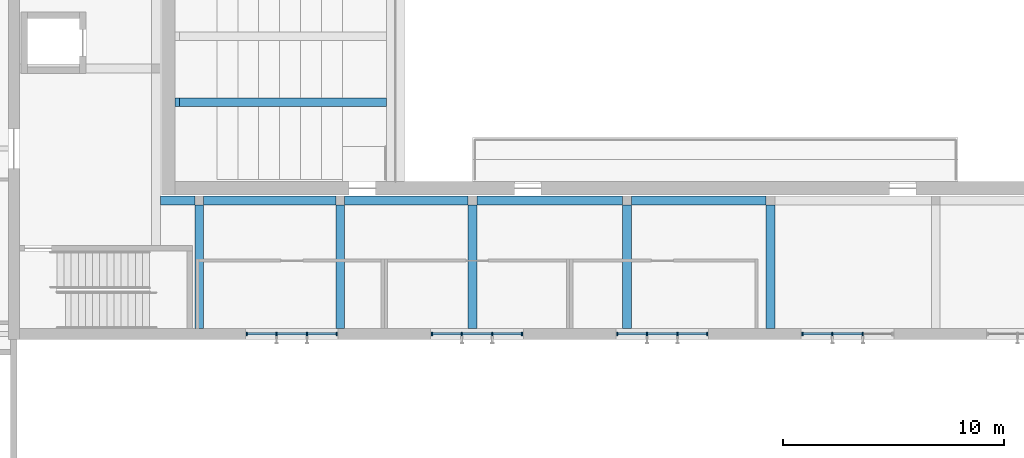
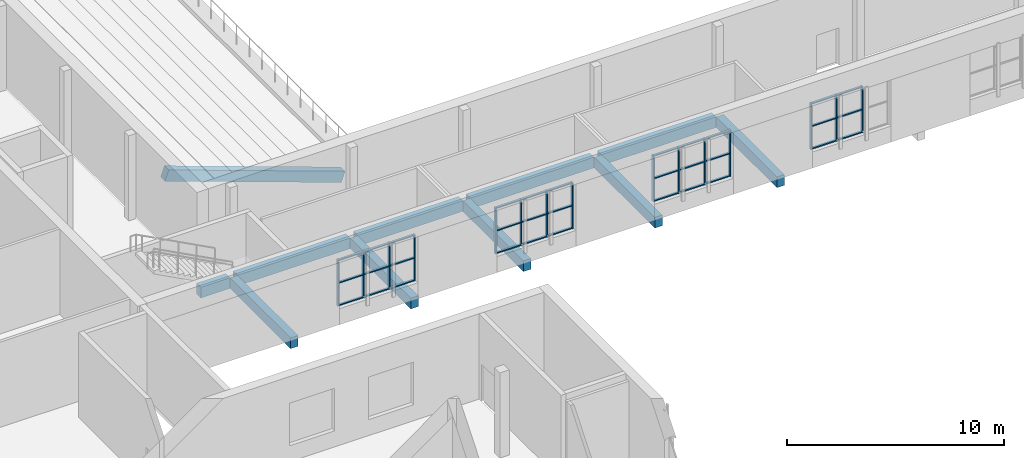
# One storey, part 23 of 116: 48 members, 11 beams, 4 elements without a shape of their own.
"""IFC4 building model written with IfcOpenShell, lengths in metres."""

import ifcopenshell
import ifcopenshell.guid

model = None  # the IFC model being written
_history = None  # IfcOwnerHistory: only IFC2X3 demands one
_inside = {}  # id of a spatial element -> (the spatial element, [elements in it])
_under = {}  # id of a project, library or spatial element -> (it, [spatial elements below it])
_declared = {}  # id of a project -> (the project, [libraries it declares])
_typed = {}  # id of a type object -> (the type object, [elements of that type])
_made_of = {}  # id of a material, layer set ... -> (it, [elements and type objects made of it])


def new_model(schema):
    """Start an empty IFC model of exactly this schema.

    Asked for "IFC4X3", IfcOpenShell would pick the latest addendum, in which some entities
    have other attributes; the version numbers below select the first issue.
    IFC2X3 requires an IfcOwnerHistory on every rooted entity: one is made here for all.
    """
    global model, _history
    if schema == "IFC4X3":
        model = ifcopenshell.file(schema_version=(4, 3, 0, 0))
    else:
        model = ifcopenshell.file(schema=schema)
    _inside.clear()
    _under.clear()
    _declared.clear()
    _typed.clear()
    _made_of.clear()
    _history = None
    if model.schema == "IFC2X3":
        org = make("IfcOrganization", Name="unknown")
        user = make(
            "IfcPersonAndOrganization",
            ThePerson=make("IfcPerson", FamilyName="unknown"),
            TheOrganization=org,
        )
        app = make(
            "IfcApplication",
            ApplicationDeveloper=org,
            Version="unknown",
            ApplicationFullName="unknown",
            ApplicationIdentifier="unknown",
        )
        _history = make(
            "IfcOwnerHistory",
            OwningUser=user,
            OwningApplication=app,
            ChangeAction="ADDED",
            CreationDate=0,
        )
    return model


def make(cls, **values):
    """One entity of the class cls with the attributes given. An attribute that is None is left unset."""
    return model.create_entity(
        cls, **{name: value for name, value in values.items() if value is not None}
    )


def rooted(cls, **values):
    """An entity with a GlobalId (a new one), such as an element, a storey or a relation."""
    return make(cls, GlobalId=ifcopenshell.guid.new(), OwnerHistory=_history, **values)


def si_unit(unit_type, name, prefix=None):
    """IfcSIUnit, for example si_unit("LENGTHUNIT", "METRE", prefix="MILLI")."""
    return make("IfcSIUnit", UnitType=unit_type, Prefix=prefix, Name=name)


def assignment(units):
    """IfcUnitAssignment: the units of a project."""
    return None if units is None else make("IfcUnitAssignment", Units=units)


def point(xyz):
    """IfcCartesianPoint."""
    return None if xyz is None else make("IfcCartesianPoint", Coordinates=xyz)


def direction(xyz):
    """IfcDirection."""
    return None if xyz is None else make("IfcDirection", DirectionRatios=xyz)


def frame(location, z_axis=None, x_axis=None):
    """IfcAxis2Placement3D, a coordinate frame: its origin and axes. An axis left out is left unset."""
    return make(
        "IfcAxis2Placement3D",
        Location=point(location),
        Axis=direction(z_axis),
        RefDirection=direction(x_axis),
    )


def frame_2d(location, x_axis=None):
    """IfcAxis2Placement2D, a coordinate frame in the plane: its origin and x axis."""
    return make(
        "IfcAxis2Placement2D", Location=point(location), RefDirection=direction(x_axis)
    )


def origin():
    """The frame at (0, 0, 0) with its axes left unset."""
    return frame((0.0, 0.0, 0.0))


def origin_2d():
    """The frame at (0, 0) in the plane with its x axis left unset."""
    return frame_2d((0.0, 0.0))


def place(relative_to, where):
    """IfcLocalPlacement: puts the frame where relative to a parent placement (None: the world)."""
    return make(
        "IfcLocalPlacement", PlacementRelTo=relative_to, RelativePlacement=where
    )


def context(
    kind, dimensions, precision=None, world=None, true_north=None, identifier=None
):
    """IfcGeometricRepresentationContext, for example the 3D "Model" context."""
    return make(
        "IfcGeometricRepresentationContext",
        ContextIdentifier=identifier,
        ContextType=kind,
        CoordinateSpaceDimension=dimensions,
        Precision=precision,
        WorldCoordinateSystem=world,
        TrueNorth=true_north,
    )


def subcontext(parent, identifier, kind, view, scale=None):
    """IfcGeometricRepresentationSubContext, for example "Body" below "Model"."""
    return make(
        "IfcGeometricRepresentationSubContext",
        ContextIdentifier=identifier,
        ContextType=kind,
        ParentContext=parent,
        TargetScale=scale,
        TargetView=view,
    )


def project(units=None, contexts=None):
    """IfcProject with its units and contexts."""
    return rooted(
        "IfcProject",
        Name="project",
        RepresentationContexts=contexts,
        UnitsInContext=assignment(units),
    )


def spatial(cls, under=None, at=None, **own):
    """A site, building, storey or space (cls), placed at a placement, below another one or the project."""
    s = rooted(cls, ObjectPlacement=at, **own)
    if under is not None:
        _under.setdefault(under.id(), (under, []))[1].append(s)
    return s


def profile(cls, at=None, kind="AREA", **sizes):
    """A parametric profile (cls). Its sizes go by their IFC names, for example OverallWidth=200.0."""
    return make(cls, ProfileType=kind, Position=at, **sizes)


def rectangle(**sizes):
    """IfcRectangleProfileDef."""
    return profile("IfcRectangleProfileDef", **sizes)


def extrude(swept, where, along, depth):
    """IfcExtrudedAreaSolid: the profile swept, set in the frame where, extruded along a direction by depth."""
    return make(
        "IfcExtrudedAreaSolid",
        SweptArea=swept,
        Position=where,
        ExtrudedDirection=direction(along),
        Depth=depth,
    )


def shape(context_of_items, identifier, shape_type, items):
    """IfcShapeRepresentation: the items that make up one representation, for example the "Body"."""
    return make(
        "IfcShapeRepresentation",
        ContextOfItems=context_of_items,
        RepresentationIdentifier=identifier,
        RepresentationType=shape_type,
        Items=items,
    )


def material(Name=None, Category=None):
    """IfcMaterial."""
    return make("IfcMaterial", Name=Name, Category=Category)


def material_profile(
    of_material, cross_section, Name=None, Category=None, Priority=None
):
    """IfcMaterialProfile: a cross section and its material."""
    return make(
        "IfcMaterialProfile",
        Name=Name,
        Material=of_material,
        Profile=cross_section,
        Priority=Priority,
        Category=Category,
    )


def profile_set(profiles, Name=None, composite=None):
    """IfcMaterialProfileSet."""
    return make(
        "IfcMaterialProfileSet",
        Name=Name,
        MaterialProfiles=profiles,
        CompositeProfile=composite,
    )


def made_of(thing, what):
    """Note that an element or type object is made of a material, layer set ...; save() writes the relation."""
    if what is not None:
        _made_of.setdefault(what.id(), (what, []))[1].append(thing)
    return thing


def type_object(cls, material=None, **own):
    """A type object (cls), such as IfcWallType, which elements share."""
    return made_of(rooted(cls, **own), material)


def element(
    cls,
    number,
    at=None,
    inside=None,
    cuts=None,
    type_object=None,
    material=None,
    context=None,
    identifier="Body",
    shape_type=None,
    held_by="IfcProductDefinitionShape",
    body=None,
    shapes=None,
    **own,
):
    """One element of the class cls, such as IfcWall. Its Tag is "e" and its number.

    at: its placement. inside: the storey or other place that contains it. cuts: it is an
    opening in that element (IfcRelVoidsElement). A single representation is given by context,
    identifier, shape_type and body (its items); several are given by shapes. held_by: the class
    of the entity that holds the representations. save() writes the other relations.
    """
    e = rooted(cls, Tag="e%d" % number, ObjectPlacement=at, **own)
    if body is not None:
        shapes = [shape(context, identifier, shape_type, body)]
    if shapes is not None:
        e.Representation = make(held_by, Representations=shapes)
    if inside is not None:
        _inside.setdefault(inside.id(), (inside, []))[1].append(e)
    if cuts is not None:
        rooted(
            "IfcRelVoidsElement", RelatingBuildingElement=cuts, RelatedOpeningElement=e
        )
    if type_object is not None:
        _typed.setdefault(type_object.id(), (type_object, []))[1].append(e)
    return made_of(e, material)


def aggregate(whole, parts):
    """IfcRelAggregates: a whole, such as a stair, and the parts it consists of."""
    return rooted("IfcRelAggregates", RelatingObject=whole, RelatedObjects=parts)


def save(model, path):
    """Write the relations noted so far, then the file.

    IfcRelAggregates (storeys below a building ...), IfcRelContainedInSpatialStructure (elements
    in a storey), IfcRelDefinesByType, IfcRelAssociatesMaterial and IfcRelDeclares: one each for
    every whole, place, type object, material and project.
    """
    for whole, parts in _under.values():
        aggregate(whole, parts)
    for where, things in _inside.values():
        rooted(
            "IfcRelContainedInSpatialStructure",
            RelatedElements=things,
            RelatingStructure=where,
        )
    for kind, things in _typed.values():
        rooted("IfcRelDefinesByType", RelatedObjects=things, RelatingType=kind)
    for what, things in _made_of.values():
        rooted("IfcRelAssociatesMaterial", RelatedObjects=things, RelatingMaterial=what)
    for by, libraries in _declared.values():
        rooted("IfcRelDeclares", RelatingContext=by, RelatedDefinitions=libraries)
    model.write(path)


model = new_model("IFC4")

# Units and contexts
model_context = context("Model", 3, precision=1e-05, world=origin(), true_north=direction((0.0, 1.0)))
body_context = subcontext(model_context, "Body", "Model", "MODEL_VIEW")
ifc_project = project(units=[si_unit("LENGTHUNIT", "METRE"), si_unit("AREAUNIT", "SQUARE_METRE"), si_unit("VOLUMEUNIT", "CUBIC_METRE"), si_unit("PLANEANGLEUNIT", "RADIAN"), si_unit("MASSUNIT", "GRAM", prefix="KILO")], contexts=[model_context])

# Site, building, storey
site_placement = place(None, origin())
site = spatial("IfcSite", under=ifc_project, at=site_placement, CompositionType="ELEMENT")
building_placement = place(site_placement, origin())
building = spatial("IfcBuilding", under=site, at=building_placement, Name="Ljudholm Concert House", CompositionType="ELEMENT")
storey_placement = place(building_placement, frame((0.0, 0.0, 10.199951171875)))
storey = spatial("IfcBuildingStorey", under=building, at=storey_placement, Name="L02", CompositionType="ELEMENT", Elevation=10.199951171875)

# Curtain wall, members
ifc_material_1 = material(Name="Aluminium curtain wall with impact-rated laminated glass", Category="aluminium")
curtain_wall_type = type_object("IfcCurtainWallType", Name="CURTAIN WALL 1400", PredefinedType="NOTDEFINED", material=ifc_material_1)
curtain_wall_1_placement = place(storey_placement, origin())
curtain_wall_1 = element("IfcCurtainWall", 1, at=curtain_wall_1_placement, inside=storey, type_object=curtain_wall_type, Name="Promenade curtain wall", PredefinedType="NOTDEFINED")
ifc_material_2 = material(Name="Aluminium extrusion", Category="aluminium")
ifc_material_profile_1 = material_profile(ifc_material_2, rectangle(XDim=0.159912109375, YDim=0.06005859375, at=origin_2d()), Name="MULLION 60x160")
ifc_profile_set_1 = profile_set([ifc_material_profile_1], Name="Aluminium extrusion")
member_type_1 = type_object("IfcMemberType", Name="MULLION 60x160", PredefinedType="MULLION", material=ifc_profile_set_1)
member_1_placement = place(storey_placement, frame((39.760009765625, 54.39990234375, 0.900146484375), z_axis=(0.0, 0.0, 1.0), x_axis=(0.0, 1.0, 0.0)))
member_1 = element("IfcMember", 2, at=member_1_placement, type_object=member_type_1, Name="Mullion", PredefinedType="MULLION", context=body_context, shape_type="SweptSolid", body=[
    extrude(rectangle(XDim=0.159912109375, YDim=0.06005859375, at=origin_2d()), origin(), (0.0, 0.0, 1.0), 2.599853515625),
])
member_2_placement = place(storey_placement, frame((41.110107421875, 54.39990234375, 0.900146484375), z_axis=(0.0, 0.0, 1.0), x_axis=(0.0, 1.0, 0.0)))
member_2 = element("IfcMember", 3, at=member_2_placement, type_object=member_type_1, Name="Mullion", PredefinedType="MULLION", context=body_context, shape_type="SweptSolid", body=[
    extrude(rectangle(XDim=0.159912109375, YDim=0.06005859375, at=origin_2d()), origin(), (0.0, 0.0, 1.0), 2.599853515625),
])
member_3_placement = place(storey_placement, frame((42.489990234375, 54.39990234375, 0.900146484375), z_axis=(0.0, 0.0, 1.0), x_axis=(0.0, 1.0, 0.0)))
member_3 = element("IfcMember", 4, at=member_3_placement, type_object=member_type_1, Name="Mullion", PredefinedType="MULLION", context=body_context, shape_type="SweptSolid", body=[
    extrude(rectangle(XDim=0.159912109375, YDim=0.06005859375, at=origin_2d()), origin(), (0.0, 0.0, 1.0), 2.599853515625),
])
member_4_placement = place(storey_placement, frame((43.840087890625, 54.39990234375, 0.900146484375), z_axis=(0.0, 0.0, 1.0), x_axis=(0.0, 1.0, 0.0)))
member_4 = element("IfcMember", 5, at=member_4_placement, type_object=member_type_1, Name="Mullion", PredefinedType="MULLION", context=body_context, shape_type="SweptSolid", body=[
    extrude(rectangle(XDim=0.159912109375, YDim=0.06005859375, at=origin_2d()), origin(), (0.0, 0.0, 1.0), 2.599853515625),
])

curtain_wall_2_placement = place(storey_placement, origin())
curtain_wall_2 = element("IfcCurtainWall", 6, at=curtain_wall_2_placement, inside=storey, type_object=curtain_wall_type, Name="Promenade curtain wall", PredefinedType="NOTDEFINED")
member_5_placement = place(storey_placement, frame((48.159912109375, 54.39990234375, 0.900146484375), z_axis=(0.0, 0.0, 1.0), x_axis=(0.0, 1.0, 0.0)))
member_5 = element("IfcMember", 7, at=member_5_placement, type_object=member_type_1, Name="Mullion", PredefinedType="MULLION", context=body_context, shape_type="SweptSolid", body=[
    extrude(rectangle(XDim=0.159912109375, YDim=0.06005859375, at=origin_2d()), origin(), (0.0, 0.0, 1.0), 2.599853515625),
])
member_6_placement = place(storey_placement, frame((49.510009765625, 54.39990234375, 0.900146484375), z_axis=(0.0, 0.0, 1.0), x_axis=(0.0, 1.0, 0.0)))
member_6 = element("IfcMember", 8, at=member_6_placement, type_object=member_type_1, Name="Mullion", PredefinedType="MULLION", context=body_context, shape_type="SweptSolid", body=[
    extrude(rectangle(XDim=0.159912109375, YDim=0.06005859375, at=origin_2d()), origin(), (0.0, 0.0, 1.0), 2.599853515625),
])
member_7_placement = place(storey_placement, frame((50.889892578125, 54.39990234375, 0.900146484375), z_axis=(0.0, 0.0, 1.0), x_axis=(0.0, 1.0, 0.0)))
member_7 = element("IfcMember", 9, at=member_7_placement, type_object=member_type_1, Name="Mullion", PredefinedType="MULLION", context=body_context, shape_type="SweptSolid", body=[
    extrude(rectangle(XDim=0.159912109375, YDim=0.06005859375, at=origin_2d()), origin(), (0.0, 0.0, 1.0), 2.599853515625),
])
member_8_placement = place(storey_placement, frame((52.239990234375, 54.39990234375, 0.900146484375), z_axis=(0.0, 0.0, 1.0), x_axis=(0.0, 1.0, 0.0)))
member_8 = element("IfcMember", 10, at=member_8_placement, type_object=member_type_1, Name="Mullion", PredefinedType="MULLION", context=body_context, shape_type="SweptSolid", body=[
    extrude(rectangle(XDim=0.159912109375, YDim=0.06005859375, at=origin_2d()), origin(), (0.0, 0.0, 1.0), 2.599853515625),
])

curtain_wall_3_placement = place(storey_placement, origin())
curtain_wall_3 = element("IfcCurtainWall", 11, at=curtain_wall_3_placement, inside=storey, type_object=curtain_wall_type, Name="Promenade curtain wall", PredefinedType="NOTDEFINED")
member_9_placement = place(storey_placement, frame((56.56005859375, 54.39990234375, 0.900146484375), z_axis=(0.0, 0.0, 1.0), x_axis=(0.0, 1.0, 0.0)))
member_9 = element("IfcMember", 12, at=member_9_placement, type_object=member_type_1, Name="Mullion", PredefinedType="MULLION", context=body_context, shape_type="SweptSolid", body=[
    extrude(rectangle(XDim=0.159912109375, YDim=0.06005859375, at=origin_2d()), origin(), (0.0, 0.0, 1.0), 2.599853515625),
])
member_10_placement = place(storey_placement, frame((57.909912109375, 54.39990234375, 0.900146484375), z_axis=(0.0, 0.0, 1.0), x_axis=(0.0, 1.0, 0.0)))
member_10 = element("IfcMember", 13, at=member_10_placement, type_object=member_type_1, Name="Mullion", PredefinedType="MULLION", context=body_context, shape_type="SweptSolid", body=[
    extrude(rectangle(XDim=0.159912109375, YDim=0.06005859375, at=origin_2d()), origin(), (0.0, 0.0, 1.0), 2.599853515625),
])
member_11_placement = place(storey_placement, frame((59.2900390625, 54.39990234375, 0.900146484375), z_axis=(0.0, 0.0, 1.0), x_axis=(0.0, 1.0, 0.0)))
member_11 = element("IfcMember", 14, at=member_11_placement, type_object=member_type_1, Name="Mullion", PredefinedType="MULLION", context=body_context, shape_type="SweptSolid", body=[
    extrude(rectangle(XDim=0.159912109375, YDim=0.06005859375, at=origin_2d()), origin(), (0.0, 0.0, 1.0), 2.599853515625),
])
member_12_placement = place(storey_placement, frame((60.639892578125, 54.39990234375, 0.900146484375), z_axis=(0.0, 0.0, 1.0), x_axis=(0.0, 1.0, 0.0)))
member_12 = element("IfcMember", 15, at=member_12_placement, type_object=member_type_1, Name="Mullion", PredefinedType="MULLION", context=body_context, shape_type="SweptSolid", body=[
    extrude(rectangle(XDim=0.159912109375, YDim=0.06005859375, at=origin_2d()), origin(), (0.0, 0.0, 1.0), 2.599853515625),
])

curtain_wall_4_placement = place(storey_placement, origin())
curtain_wall_4 = element("IfcCurtainWall", 16, at=curtain_wall_4_placement, inside=storey, type_object=curtain_wall_type, Name="Promenade curtain wall", PredefinedType="NOTDEFINED")
member_13_placement = place(storey_placement, frame((64.9599609375, 54.39990234375, 0.900146484375), z_axis=(0.0, 0.0, 1.0), x_axis=(0.0, 1.0, 0.0)))
member_13 = element("IfcMember", 17, at=member_13_placement, type_object=member_type_1, Name="Mullion", PredefinedType="MULLION", context=body_context, shape_type="SweptSolid", body=[
    extrude(rectangle(XDim=0.159912109375, YDim=0.06005859375, at=origin_2d()), origin(), (0.0, 0.0, 1.0), 2.599853515625),
])
member_14_placement = place(storey_placement, frame((66.31005859375, 54.39990234375, 0.900146484375), z_axis=(0.0, 0.0, 1.0), x_axis=(0.0, 1.0, 0.0)))
member_14 = element("IfcMember", 18, at=member_14_placement, type_object=member_type_1, Name="Mullion", PredefinedType="MULLION", context=body_context, shape_type="SweptSolid", body=[
    extrude(rectangle(XDim=0.159912109375, YDim=0.06005859375, at=origin_2d()), origin(), (0.0, 0.0, 1.0), 2.599853515625),
])
member_15_placement = place(storey_placement, frame((67.68994140625, 54.39990234375, 0.900146484375), z_axis=(0.0, 0.0, 1.0), x_axis=(0.0, 1.0, 0.0)))
member_15 = element("IfcMember", 19, at=member_15_placement, type_object=member_type_1, Name="Mullion", PredefinedType="MULLION", context=body_context, shape_type="SweptSolid", body=[
    extrude(rectangle(XDim=0.159912109375, YDim=0.06005859375, at=origin_2d()), origin(), (0.0, 0.0, 1.0), 2.599853515625),
])

# Beams
ifc_material_3 = material(Name="Concrete 6,500 psi", Category="concrete")
ifc_material_profile_2 = material_profile(ifc_material_3, rectangle(XDim=0.39990234375, YDim=0.60009765625, at=origin_2d()), Name="RC BEAM 400x600")
ifc_profile_set_2 = profile_set([ifc_material_profile_2], Name="Concrete 6,500 psi")
beam_type_1 = type_object("IfcBeamType", Name="RC BEAM 400x600", PredefinedType="BEAM", material=ifc_profile_set_2)
beam_1_placement = place(storey_placement, frame((37.800048828125, 60.449951171875, -0.550048828125), z_axis=(1.0, 0.0, 0.0), x_axis=(0.0, 1.0, 0.0)))
element("IfcBeam", 20, at=beam_1_placement, inside=storey, type_object=beam_type_1, Name="Ring beam", PredefinedType="BEAM", context=body_context, shape_type="SweptSolid", body=[
    extrude(rectangle(XDim=0.39990234375, YDim=0.60009765625, at=origin_2d()), origin(), (0.0, 0.0, 1.0), 6.0),
])
beam_2_placement = place(storey_placement, frame((44.199951171875, 60.449951171875, -0.550048828125), z_axis=(1.0, 0.0, 0.0), x_axis=(0.0, 1.0, 0.0)))
element("IfcBeam", 21, at=beam_2_placement, inside=storey, type_object=beam_type_1, Name="Ring beam", PredefinedType="BEAM", context=body_context, shape_type="SweptSolid", body=[
    extrude(rectangle(XDim=0.39990234375, YDim=0.60009765625, at=origin_2d()), origin(), (0.0, 0.0, 1.0), 5.60009765625),
])
beam_3_placement = place(storey_placement, frame((50.199951171875, 60.449951171875, -0.550048828125), z_axis=(1.0, 0.0, 0.0), x_axis=(0.0, 1.0, 0.0)))
element("IfcBeam", 22, at=beam_3_placement, inside=storey, type_object=beam_type_1, Name="Ring beam", PredefinedType="BEAM", context=body_context, shape_type="SweptSolid", body=[
    extrude(rectangle(XDim=0.39990234375, YDim=0.60009765625, at=origin_2d()), origin(), (0.0, 0.0, 1.0), 6.60009765625),
])
beam_4_placement = place(storey_placement, frame((57.199951171875, 60.449951171875, -0.550048828125), z_axis=(1.0, 0.0, 0.0), x_axis=(0.0, 1.0, 0.0)))
element("IfcBeam", 23, at=beam_4_placement, inside=storey, type_object=beam_type_1, Name="Ring beam", PredefinedType="BEAM", context=body_context, shape_type="SweptSolid", body=[
    extrude(rectangle(XDim=0.39990234375, YDim=0.60009765625, at=origin_2d()), origin(), (0.0, 0.0, 1.0), 6.10009765625),
])
for number, where, z_axis, x_axis, name in (
    (24, (37.60009765625, 60.25, -0.550048828125), (0.0, -1.0, 0.0), (1.0, 0.0, 0.0), "Ring cross beam"),
    (25, (44.0, 60.25, -0.550048828125), (0.0, -1.0, 0.0), (1.0, 0.0, 0.0), "Ring cross beam"),
    (26, (50.0, 60.25, -0.550048828125), (0.0, -1.0, 0.0), (1.0, 0.0, 0.0), "Ring cross beam"),
    (27, (57.0, 60.25, -0.550048828125), (0.0, -1.0, 0.0), (1.0, 0.0, 0.0), "Ring cross beam"),
    (28, (63.5, 60.25, -0.550048828125), (0.0, -1.0, 0.0), (1.0, 0.0, 0.0), "Ring cross beam"),
):
    element("IfcBeam", number, at=place(storey_placement, frame(where, z_axis=z_axis, x_axis=x_axis)), inside=storey, type_object=beam_type_1, Name=name, PredefinedType="BEAM", context=body_context, shape_type="SweptSolid", body=[
        extrude(rectangle(XDim=0.39990234375, YDim=0.60009765625, at=origin_2d()), origin(), (0.0, 0.0, 1.0), 5.60009765625),
    ])
beam_5_placement = place(storey_placement, frame((35.85009765625, 60.449951171875, -0.550048828125), z_axis=(1.0, 0.0, 0.0), x_axis=(0.0, 1.0, 0.0)))
element("IfcBeam", 29, at=beam_5_placement, inside=storey, type_object=beam_type_1, Name="Ring beam", PredefinedType="BEAM", context=body_context, shape_type="SweptSolid", body=[
    extrude(rectangle(XDim=0.39990234375, YDim=0.60009765625, at=origin_2d()), origin(), (0.0, 0.0, 1.0), 1.5498046875),
])
ifc_material_4 = material(Name="Concrete 6,500 psi", Category="concrete")
ifc_material_profile_3 = material_profile(ifc_material_4, rectangle(XDim=0.39990234375, YDim=0.60009765625, at=origin_2d()), Name="RC BEAM 400x600 BEAM")
ifc_profile_set_3 = profile_set([ifc_material_profile_3], Name="Concrete 6,500 psi")
beam_type_2 = type_object("IfcBeamType", Name="RC BEAM 400x600 BEAM", PredefinedType="BEAM", material=ifc_profile_set_3)
beam_6_placement = place(storey_placement, frame((36.6005859375, 64.89990234375, 3.086181640625), z_axis=(0.941519274901, 0.0, -0.336959129554), x_axis=(0.0, 1.0, 0.0)))
element("IfcBeam", 30, at=beam_6_placement, inside=storey, type_object=beam_type_2, Name="Raker beam", PredefinedType="BEAM", context=body_context, shape_type="SweptSolid", body=[
    extrude(rectangle(XDim=0.39990234375, YDim=0.60009765625, at=origin_2d()), origin(), (0.0, 0.0, 1.0), 9.982666015625),
])

# Member
ifc_material_5 = material(Name="Aluminium extrusion", Category="aluminium")
ifc_material_profile_4 = material_profile(ifc_material_5, rectangle(XDim=0.1201171875, YDim=0.06005859375, at=origin_2d()), Name="TRANSOM 60x120")
ifc_profile_set_4 = profile_set([ifc_material_profile_4], Name="Aluminium extrusion")
member_type_2 = type_object("IfcMemberType", Name="TRANSOM 60x120", PredefinedType="USERDEFINED", material=ifc_profile_set_4)
member_16_placement = place(storey_placement, frame((39.7900390625, 54.39990234375, 0.929931640625), z_axis=(1.0, 0.0, 0.0), x_axis=(0.0, 1.0, 0.0)))
member_16 = element("IfcMember", 31, at=member_16_placement, type_object=member_type_2, Name="Transom", ObjectType="TRANSOM", PredefinedType="USERDEFINED", context=body_context, shape_type="SweptSolid", body=[
    extrude(rectangle(XDim=0.1201171875, YDim=0.06005859375, at=origin_2d()), origin(), (0.0, 0.0, 1.0), 1.2900390625),
])

member_17_placement = place(storey_placement, frame((39.7900390625, 54.39990234375, 2.199951171875), z_axis=(1.0, 0.0, 0.0), x_axis=(0.0, 1.0, 0.0)))
member_17 = element("IfcMember", 32, at=member_17_placement, type_object=member_type_2, Name="Transom", ObjectType="TRANSOM", PredefinedType="USERDEFINED", context=body_context, shape_type="SweptSolid", body=[
    extrude(rectangle(XDim=0.1201171875, YDim=0.06005859375, at=origin_2d()), origin(), (0.0, 0.0, 1.0), 1.2900390625),
])

member_18_placement = place(storey_placement, frame((39.7900390625, 54.39990234375, 3.469970703125), z_axis=(1.0, 0.0, 0.0), x_axis=(0.0, 1.0, 0.0)))
member_18 = element("IfcMember", 33, at=member_18_placement, type_object=member_type_2, Name="Transom", ObjectType="TRANSOM", PredefinedType="USERDEFINED", context=body_context, shape_type="SweptSolid", body=[
    extrude(rectangle(XDim=0.1201171875, YDim=0.06005859375, at=origin_2d()), origin(), (0.0, 0.0, 1.0), 1.2900390625),
])

member_19_placement = place(storey_placement, frame((41.139892578125, 54.39990234375, 0.929931640625), z_axis=(1.0, 0.0, 0.0), x_axis=(0.0, 1.0, 0.0)))
member_19 = element("IfcMember", 34, at=member_19_placement, type_object=member_type_2, Name="Transom", ObjectType="TRANSOM", PredefinedType="USERDEFINED", context=body_context, shape_type="SweptSolid", body=[
    extrude(rectangle(XDim=0.1201171875, YDim=0.06005859375, at=origin_2d()), origin(), (0.0, 0.0, 1.0), 1.320068359375),
])

member_20_placement = place(storey_placement, frame((41.139892578125, 54.39990234375, 2.199951171875), z_axis=(1.0, 0.0, 0.0), x_axis=(0.0, 1.0, 0.0)))
member_20 = element("IfcMember", 35, at=member_20_placement, type_object=member_type_2, Name="Transom", ObjectType="TRANSOM", PredefinedType="USERDEFINED", context=body_context, shape_type="SweptSolid", body=[
    extrude(rectangle(XDim=0.1201171875, YDim=0.06005859375, at=origin_2d()), origin(), (0.0, 0.0, 1.0), 1.320068359375),
])

member_21_placement = place(storey_placement, frame((41.139892578125, 54.39990234375, 3.469970703125), z_axis=(1.0, 0.0, 0.0), x_axis=(0.0, 1.0, 0.0)))
member_21 = element("IfcMember", 36, at=member_21_placement, type_object=member_type_2, Name="Transom", ObjectType="TRANSOM", PredefinedType="USERDEFINED", context=body_context, shape_type="SweptSolid", body=[
    extrude(rectangle(XDim=0.1201171875, YDim=0.06005859375, at=origin_2d()), origin(), (0.0, 0.0, 1.0), 1.320068359375),
])

member_22_placement = place(storey_placement, frame((42.52001953125, 54.39990234375, 0.929931640625), z_axis=(1.0, 0.0, 0.0), x_axis=(0.0, 1.0, 0.0)))
member_22 = element("IfcMember", 37, at=member_22_placement, type_object=member_type_2, Name="Transom", ObjectType="TRANSOM", PredefinedType="USERDEFINED", context=body_context, shape_type="SweptSolid", body=[
    extrude(rectangle(XDim=0.1201171875, YDim=0.06005859375, at=origin_2d()), origin(), (0.0, 0.0, 1.0), 1.2900390625),
])

member_23_placement = place(storey_placement, frame((42.52001953125, 54.39990234375, 2.199951171875), z_axis=(1.0, 0.0, 0.0), x_axis=(0.0, 1.0, 0.0)))
member_23 = element("IfcMember", 38, at=member_23_placement, type_object=member_type_2, Name="Transom", ObjectType="TRANSOM", PredefinedType="USERDEFINED", context=body_context, shape_type="SweptSolid", body=[
    extrude(rectangle(XDim=0.1201171875, YDim=0.06005859375, at=origin_2d()), origin(), (0.0, 0.0, 1.0), 1.2900390625),
])

member_24_placement = place(storey_placement, frame((42.52001953125, 54.39990234375, 3.469970703125), z_axis=(1.0, 0.0, 0.0), x_axis=(0.0, 1.0, 0.0)))
member_24 = element("IfcMember", 39, at=member_24_placement, type_object=member_type_2, Name="Transom", ObjectType="TRANSOM", PredefinedType="USERDEFINED", context=body_context, shape_type="SweptSolid", body=[
    extrude(rectangle(XDim=0.1201171875, YDim=0.06005859375, at=origin_2d()), origin(), (0.0, 0.0, 1.0), 1.2900390625),
])

aggregate(curtain_wall_1, [member_1, member_2, member_3, member_4, member_16, member_17, member_18, member_19, member_20, member_21, member_22, member_23, member_24])

member_25_placement = place(storey_placement, frame((48.18994140625, 54.39990234375, 0.929931640625), z_axis=(1.0, 0.0, 0.0), x_axis=(0.0, 1.0, 0.0)))
member_25 = element("IfcMember", 40, at=member_25_placement, type_object=member_type_2, Name="Transom", ObjectType="TRANSOM", PredefinedType="USERDEFINED", context=body_context, shape_type="SweptSolid", body=[
    extrude(rectangle(XDim=0.1201171875, YDim=0.06005859375, at=origin_2d()), origin(), (0.0, 0.0, 1.0), 1.2900390625),
])

member_26_placement = place(storey_placement, frame((48.18994140625, 54.39990234375, 2.199951171875), z_axis=(1.0, 0.0, 0.0), x_axis=(0.0, 1.0, 0.0)))
member_26 = element("IfcMember", 41, at=member_26_placement, type_object=member_type_2, Name="Transom", ObjectType="TRANSOM", PredefinedType="USERDEFINED", context=body_context, shape_type="SweptSolid", body=[
    extrude(rectangle(XDim=0.1201171875, YDim=0.06005859375, at=origin_2d()), origin(), (0.0, 0.0, 1.0), 1.2900390625),
])

member_27_placement = place(storey_placement, frame((48.18994140625, 54.39990234375, 3.469970703125), z_axis=(1.0, 0.0, 0.0), x_axis=(0.0, 1.0, 0.0)))
member_27 = element("IfcMember", 42, at=member_27_placement, type_object=member_type_2, Name="Transom", ObjectType="TRANSOM", PredefinedType="USERDEFINED", context=body_context, shape_type="SweptSolid", body=[
    extrude(rectangle(XDim=0.1201171875, YDim=0.06005859375, at=origin_2d()), origin(), (0.0, 0.0, 1.0), 1.2900390625),
])

member_28_placement = place(storey_placement, frame((49.5400390625, 54.39990234375, 0.929931640625), z_axis=(1.0, 0.0, 0.0), x_axis=(0.0, 1.0, 0.0)))
member_28 = element("IfcMember", 43, at=member_28_placement, type_object=member_type_2, Name="Transom", ObjectType="TRANSOM", PredefinedType="USERDEFINED", context=body_context, shape_type="SweptSolid", body=[
    extrude(rectangle(XDim=0.1201171875, YDim=0.06005859375, at=origin_2d()), origin(), (0.0, 0.0, 1.0), 1.320068359375),
])

member_29_placement = place(storey_placement, frame((49.5400390625, 54.39990234375, 2.199951171875), z_axis=(1.0, 0.0, 0.0), x_axis=(0.0, 1.0, 0.0)))
member_29 = element("IfcMember", 44, at=member_29_placement, type_object=member_type_2, Name="Transom", ObjectType="TRANSOM", PredefinedType="USERDEFINED", context=body_context, shape_type="SweptSolid", body=[
    extrude(rectangle(XDim=0.1201171875, YDim=0.06005859375, at=origin_2d()), origin(), (0.0, 0.0, 1.0), 1.320068359375),
])

member_30_placement = place(storey_placement, frame((49.5400390625, 54.39990234375, 3.469970703125), z_axis=(1.0, 0.0, 0.0), x_axis=(0.0, 1.0, 0.0)))
member_30 = element("IfcMember", 45, at=member_30_placement, type_object=member_type_2, Name="Transom", ObjectType="TRANSOM", PredefinedType="USERDEFINED", context=body_context, shape_type="SweptSolid", body=[
    extrude(rectangle(XDim=0.1201171875, YDim=0.06005859375, at=origin_2d()), origin(), (0.0, 0.0, 1.0), 1.320068359375),
])

member_31_placement = place(storey_placement, frame((50.919921875, 54.39990234375, 0.929931640625), z_axis=(1.0, 0.0, 0.0), x_axis=(0.0, 1.0, 0.0)))
member_31 = element("IfcMember", 46, at=member_31_placement, type_object=member_type_2, Name="Transom", ObjectType="TRANSOM", PredefinedType="USERDEFINED", context=body_context, shape_type="SweptSolid", body=[
    extrude(rectangle(XDim=0.1201171875, YDim=0.06005859375, at=origin_2d()), origin(), (0.0, 0.0, 1.0), 1.2900390625),
])

member_32_placement = place(storey_placement, frame((50.919921875, 54.39990234375, 2.199951171875), z_axis=(1.0, 0.0, 0.0), x_axis=(0.0, 1.0, 0.0)))
member_32 = element("IfcMember", 47, at=member_32_placement, type_object=member_type_2, Name="Transom", ObjectType="TRANSOM", PredefinedType="USERDEFINED", context=body_context, shape_type="SweptSolid", body=[
    extrude(rectangle(XDim=0.1201171875, YDim=0.06005859375, at=origin_2d()), origin(), (0.0, 0.0, 1.0), 1.2900390625),
])

member_33_placement = place(storey_placement, frame((50.919921875, 54.39990234375, 3.469970703125), z_axis=(1.0, 0.0, 0.0), x_axis=(0.0, 1.0, 0.0)))
member_33 = element("IfcMember", 48, at=member_33_placement, type_object=member_type_2, Name="Transom", ObjectType="TRANSOM", PredefinedType="USERDEFINED", context=body_context, shape_type="SweptSolid", body=[
    extrude(rectangle(XDim=0.1201171875, YDim=0.06005859375, at=origin_2d()), origin(), (0.0, 0.0, 1.0), 1.2900390625),
])

aggregate(curtain_wall_2, [member_5, member_6, member_7, member_8, member_25, member_26, member_27, member_28, member_29, member_30, member_31, member_32, member_33])

member_34_placement = place(storey_placement, frame((56.590087890625, 54.39990234375, 0.929931640625), z_axis=(1.0, 0.0, 0.0), x_axis=(0.0, 1.0, 0.0)))
member_34 = element("IfcMember", 49, at=member_34_placement, type_object=member_type_2, Name="Transom", ObjectType="TRANSOM", PredefinedType="USERDEFINED", context=body_context, shape_type="SweptSolid", body=[
    extrude(rectangle(XDim=0.1201171875, YDim=0.06005859375, at=origin_2d()), origin(), (0.0, 0.0, 1.0), 1.289794921875),
])

member_35_placement = place(storey_placement, frame((56.590087890625, 54.39990234375, 2.199951171875), z_axis=(1.0, 0.0, 0.0), x_axis=(0.0, 1.0, 0.0)))
member_35 = element("IfcMember", 50, at=member_35_placement, type_object=member_type_2, Name="Transom", ObjectType="TRANSOM", PredefinedType="USERDEFINED", context=body_context, shape_type="SweptSolid", body=[
    extrude(rectangle(XDim=0.1201171875, YDim=0.06005859375, at=origin_2d()), origin(), (0.0, 0.0, 1.0), 1.289794921875),
])

member_36_placement = place(storey_placement, frame((56.590087890625, 54.39990234375, 3.469970703125), z_axis=(1.0, 0.0, 0.0), x_axis=(0.0, 1.0, 0.0)))
member_36 = element("IfcMember", 51, at=member_36_placement, type_object=member_type_2, Name="Transom", ObjectType="TRANSOM", PredefinedType="USERDEFINED", context=body_context, shape_type="SweptSolid", body=[
    extrude(rectangle(XDim=0.1201171875, YDim=0.06005859375, at=origin_2d()), origin(), (0.0, 0.0, 1.0), 1.289794921875),
])

member_37_placement = place(storey_placement, frame((57.93994140625, 54.39990234375, 0.929931640625), z_axis=(1.0, 0.0, 0.0), x_axis=(0.0, 1.0, 0.0)))
member_37 = element("IfcMember", 52, at=member_37_placement, type_object=member_type_2, Name="Transom", ObjectType="TRANSOM", PredefinedType="USERDEFINED", context=body_context, shape_type="SweptSolid", body=[
    extrude(rectangle(XDim=0.1201171875, YDim=0.06005859375, at=origin_2d()), origin(), (0.0, 0.0, 1.0), 1.320068359375),
])

member_38_placement = place(storey_placement, frame((57.93994140625, 54.39990234375, 2.199951171875), z_axis=(1.0, 0.0, 0.0), x_axis=(0.0, 1.0, 0.0)))
member_38 = element("IfcMember", 53, at=member_38_placement, type_object=member_type_2, Name="Transom", ObjectType="TRANSOM", PredefinedType="USERDEFINED", context=body_context, shape_type="SweptSolid", body=[
    extrude(rectangle(XDim=0.1201171875, YDim=0.06005859375, at=origin_2d()), origin(), (0.0, 0.0, 1.0), 1.320068359375),
])

member_39_placement = place(storey_placement, frame((57.93994140625, 54.39990234375, 3.469970703125), z_axis=(1.0, 0.0, 0.0), x_axis=(0.0, 1.0, 0.0)))
member_39 = element("IfcMember", 54, at=member_39_placement, type_object=member_type_2, Name="Transom", ObjectType="TRANSOM", PredefinedType="USERDEFINED", context=body_context, shape_type="SweptSolid", body=[
    extrude(rectangle(XDim=0.1201171875, YDim=0.06005859375, at=origin_2d()), origin(), (0.0, 0.0, 1.0), 1.320068359375),
])

member_40_placement = place(storey_placement, frame((59.320068359375, 54.39990234375, 0.929931640625), z_axis=(1.0, 0.0, 0.0), x_axis=(0.0, 1.0, 0.0)))
member_40 = element("IfcMember", 55, at=member_40_placement, type_object=member_type_2, Name="Transom", ObjectType="TRANSOM", PredefinedType="USERDEFINED", context=body_context, shape_type="SweptSolid", body=[
    extrude(rectangle(XDim=0.1201171875, YDim=0.06005859375, at=origin_2d()), origin(), (0.0, 0.0, 1.0), 1.2900390625),
])

member_41_placement = place(storey_placement, frame((59.320068359375, 54.39990234375, 2.199951171875), z_axis=(1.0, 0.0, 0.0), x_axis=(0.0, 1.0, 0.0)))
member_41 = element("IfcMember", 56, at=member_41_placement, type_object=member_type_2, Name="Transom", ObjectType="TRANSOM", PredefinedType="USERDEFINED", context=body_context, shape_type="SweptSolid", body=[
    extrude(rectangle(XDim=0.1201171875, YDim=0.06005859375, at=origin_2d()), origin(), (0.0, 0.0, 1.0), 1.2900390625),
])

member_42_placement = place(storey_placement, frame((59.320068359375, 54.39990234375, 3.469970703125), z_axis=(1.0, 0.0, 0.0), x_axis=(0.0, 1.0, 0.0)))
member_42 = element("IfcMember", 57, at=member_42_placement, type_object=member_type_2, Name="Transom", ObjectType="TRANSOM", PredefinedType="USERDEFINED", context=body_context, shape_type="SweptSolid", body=[
    extrude(rectangle(XDim=0.1201171875, YDim=0.06005859375, at=origin_2d()), origin(), (0.0, 0.0, 1.0), 1.2900390625),
])

aggregate(curtain_wall_3, [member_9, member_10, member_11, member_12, member_34, member_35, member_36, member_37, member_38, member_39, member_40, member_41, member_42])

member_43_placement = place(storey_placement, frame((64.989990234375, 54.39990234375, 0.929931640625), z_axis=(1.0, 0.0, 0.0), x_axis=(0.0, 1.0, 0.0)))
member_43 = element("IfcMember", 58, at=member_43_placement, type_object=member_type_2, Name="Transom", ObjectType="TRANSOM", PredefinedType="USERDEFINED", context=body_context, shape_type="SweptSolid", body=[
    extrude(rectangle(XDim=0.1201171875, YDim=0.06005859375, at=origin_2d()), origin(), (0.0, 0.0, 1.0), 1.2900390625),
])

member_44_placement = place(storey_placement, frame((64.989990234375, 54.39990234375, 2.199951171875), z_axis=(1.0, 0.0, 0.0), x_axis=(0.0, 1.0, 0.0)))
member_44 = element("IfcMember", 59, at=member_44_placement, type_object=member_type_2, Name="Transom", ObjectType="TRANSOM", PredefinedType="USERDEFINED", context=body_context, shape_type="SweptSolid", body=[
    extrude(rectangle(XDim=0.1201171875, YDim=0.06005859375, at=origin_2d()), origin(), (0.0, 0.0, 1.0), 1.2900390625),
])

member_45_placement = place(storey_placement, frame((64.989990234375, 54.39990234375, 3.469970703125), z_axis=(1.0, 0.0, 0.0), x_axis=(0.0, 1.0, 0.0)))
member_45 = element("IfcMember", 60, at=member_45_placement, type_object=member_type_2, Name="Transom", ObjectType="TRANSOM", PredefinedType="USERDEFINED", context=body_context, shape_type="SweptSolid", body=[
    extrude(rectangle(XDim=0.1201171875, YDim=0.06005859375, at=origin_2d()), origin(), (0.0, 0.0, 1.0), 1.2900390625),
])

member_46_placement = place(storey_placement, frame((66.340087890625, 54.39990234375, 0.929931640625), z_axis=(1.0, 0.0, 0.0), x_axis=(0.0, 1.0, 0.0)))
member_46 = element("IfcMember", 61, at=member_46_placement, type_object=member_type_2, Name="Transom", ObjectType="TRANSOM", PredefinedType="USERDEFINED", context=body_context, shape_type="SweptSolid", body=[
    extrude(rectangle(XDim=0.1201171875, YDim=0.06005859375, at=origin_2d()), origin(), (0.0, 0.0, 1.0), 1.31982421875),
])

member_47_placement = place(storey_placement, frame((66.340087890625, 54.39990234375, 2.199951171875), z_axis=(1.0, 0.0, 0.0), x_axis=(0.0, 1.0, 0.0)))
member_47 = element("IfcMember", 62, at=member_47_placement, type_object=member_type_2, Name="Transom", ObjectType="TRANSOM", PredefinedType="USERDEFINED", context=body_context, shape_type="SweptSolid", body=[
    extrude(rectangle(XDim=0.1201171875, YDim=0.06005859375, at=origin_2d()), origin(), (0.0, 0.0, 1.0), 1.31982421875),
])

member_48_placement = place(storey_placement, frame((66.340087890625, 54.39990234375, 3.469970703125), z_axis=(1.0, 0.0, 0.0), x_axis=(0.0, 1.0, 0.0)))
member_48 = element("IfcMember", 63, at=member_48_placement, type_object=member_type_2, Name="Transom", ObjectType="TRANSOM", PredefinedType="USERDEFINED", context=body_context, shape_type="SweptSolid", body=[
    extrude(rectangle(XDim=0.1201171875, YDim=0.06005859375, at=origin_2d()), origin(), (0.0, 0.0, 1.0), 1.31982421875),
])

aggregate(curtain_wall_4, [member_13, member_14, member_15, member_43, member_44, member_45, member_46, member_47, member_48])

save(model, "model.ifc")
